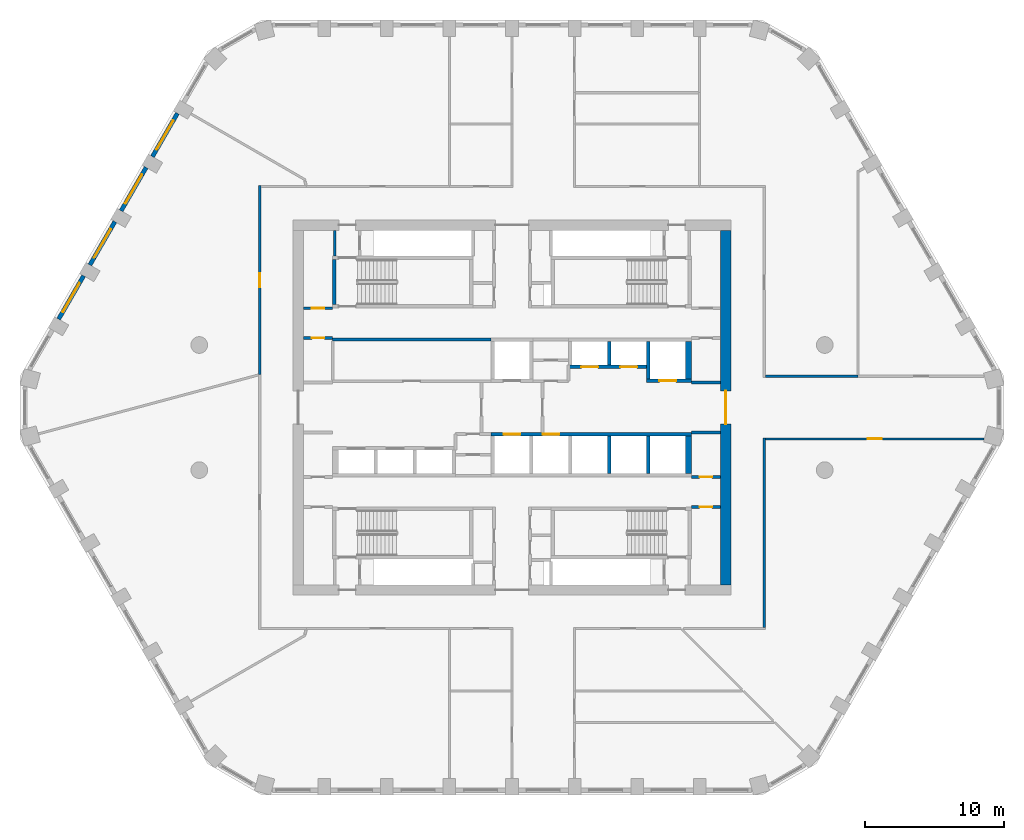
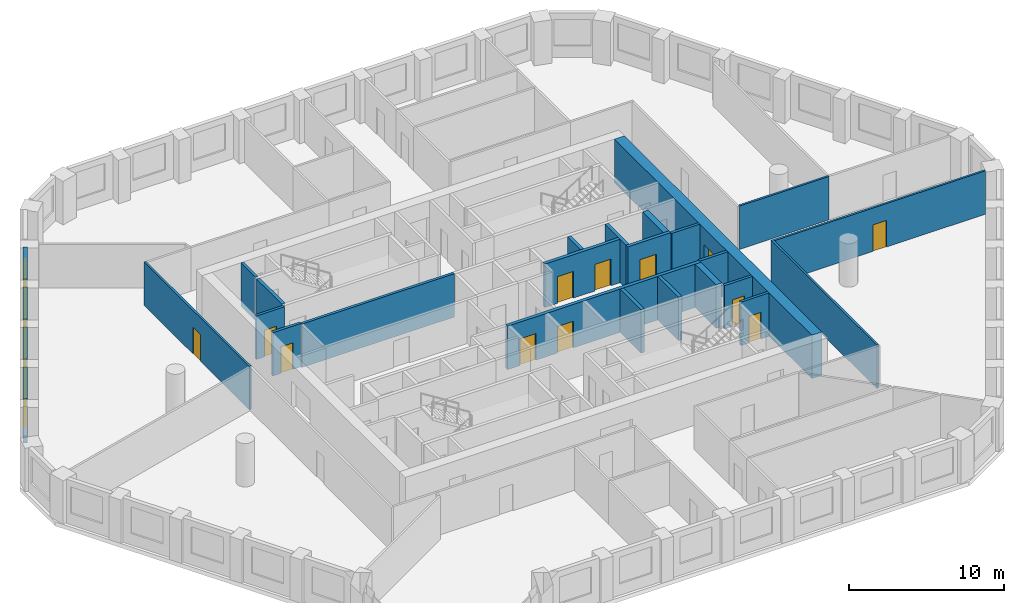
# One storey, part 5 of 9: 27 walls, 12 doors, 4 windows, 16 openings.
"""IFC4 building model written with IfcOpenShell, lengths in metres."""

from ifc_helpers import new_model, si_unit, direction, frame, frame_2d, origin, place, context, subcontext, project, spatial, polyline, rectangle, outline, extrude, material, layer, layer_set, type_object, element, fill, save


model = new_model("IFC4")

# Units and contexts
model_context = context("Model", 3, precision=1e-05, world=origin(), true_north=direction((0.0, 1.0)))
body_context = subcontext(model_context, "Body", "Model", "MODEL_VIEW")
ifc_project = project(units=[si_unit("LENGTHUNIT", "METRE"), si_unit("AREAUNIT", "SQUARE_METRE"), si_unit("VOLUMEUNIT", "CUBIC_METRE"), si_unit("PLANEANGLEUNIT", "RADIAN"), si_unit("MASSUNIT", "GRAM", prefix="KILO")], contexts=[model_context])

# Site, building, storey
site_placement = place(None, origin())
site = spatial("IfcSite", under=ifc_project, at=site_placement, CompositionType="ELEMENT")
building_placement = place(site_placement, origin())
building = spatial("IfcBuilding", under=site, at=building_placement, Name="Dhurran Vertical Campus", CompositionType="ELEMENT")
storey_placement = place(building_placement, frame((0.0, 0.0, 175.5)))
storey = spatial("IfcBuildingStorey", under=building, at=storey_placement, Name="L43", CompositionType="ELEMENT", Elevation=175.5)

# Wall, opening, window
ifc_material_1 = material(Name="Precast concrete C50/60", Category="concrete")
ifc_layer_1 = layer(ifc_material_1, 0.300048828125)
ifc_layer_set_1 = layer_set([ifc_layer_1], Name="Precast concrete C50/60")
wall_type_1 = type_object("IfcWallType", Name="Precast spandrel wall 300", PredefinedType="SOLIDWALL", material=ifc_layer_set_1)
wall_1_placement = place(storey_placement, frame((-24.0693359375, 21.17041015625, 0.0), z_axis=(0.0, 0.0, 1.0), x_axis=(-0.500027802648, -0.866009351323, 0.0)))
wall_1 = element("IfcWall", 1, at=wall_1_placement, inside=storey, type_object=wall_type_1, Name="EW1 L43.33", PredefinedType="SOLIDWALL", context=body_context, shape_type="SweptSolid", body=[
    extrude(rectangle(XDim=3.598876953125, YDim=0.300048828125, at=frame_2d((1.79931640625, 0.0))), origin(), (0.0, 0.0, 1.0), 3.5),
])
opening_1_placement = place(wall_1_placement, frame((0.599609375, 0.0, 0.89990234375)))
opening_1 = element("IfcOpeningElement", 2, at=opening_1_placement, cuts=wall_1, Name="Opening WT1", PredefinedType="OPENING", context=body_context, shape_type="SweptSolid", body=[
    extrude(rectangle(XDim=2.39990234375, YDim=2.10009765625, at=frame_2d((1.199951171875, 1.050048828125))), frame((0.0, 0.159912109375, 0.0), z_axis=(0.0, -1.0, 0.0), x_axis=(1.0, 0.0, 0.0)), (0.0, 0.0, 1.0), 0.320068359375),
])
ifc_material_2 = material(Name="Aluminium frame with solar-control glass", Category="aluminium")
window_type = type_object("IfcWindowType", Name="Punched window 2400 x 2100", PartitioningType="SINGLE_PANEL", PredefinedType="WINDOW", material=ifc_material_2)
window_1_placement = place(opening_1_placement, origin())
window_1 = element("IfcWindow", 3, at=window_1_placement, inside=storey, type_object=window_type, Name="WT1 L43.33", OverallHeight=2.10009765625, OverallWidth=2.39990234375, PartitioningType="SINGLE_PANEL", PredefinedType="WINDOW", context=body_context, shape_type="SweptSolid", body=[
    extrude(rectangle(XDim=2.39990234375, YDim=2.10009765625, at=frame_2d((1.199951171875, 1.050048828125))), frame((0.0, 0.030029296875, 0.0), z_axis=(0.0, -1.0, 0.0), x_axis=(1.0, 0.0, 0.0)), (0.0, 0.0, 1.0), 0.06005859375),
])
fill(opening_1, window_1)

wall_2_placement = place(storey_placement, frame((-26.3193359375, 17.273193359375, 0.0), z_axis=(0.0, 0.0, 1.0), x_axis=(-0.500027802648, -0.866009351323, 0.0)))
wall_2 = element("IfcWall", 4, at=wall_2_placement, inside=storey, type_object=wall_type_1, Name="EW1 L43.34", PredefinedType="SOLIDWALL", context=body_context, shape_type="SweptSolid", body=[
    extrude(rectangle(XDim=3.598876953125, YDim=0.300048828125, at=frame_2d((1.79931640625, 0.0))), origin(), (0.0, 0.0, 1.0), 3.5),
])
opening_2_placement = place(wall_2_placement, frame((0.599609375, 0.0, 0.89990234375)))
opening_2 = element("IfcOpeningElement", 5, at=opening_2_placement, cuts=wall_2, Name="Opening WT1", PredefinedType="OPENING", context=body_context, shape_type="SweptSolid", body=[
    extrude(rectangle(XDim=2.39990234375, YDim=2.10009765625, at=frame_2d((1.199951171875, 1.050048828125))), frame((0.0, 0.159912109375, 0.0), z_axis=(0.0, -1.0, 0.0), x_axis=(1.0, 0.0, 0.0)), (0.0, 0.0, 1.0), 0.320068359375),
])
window_2_placement = place(opening_2_placement, origin())
window_2 = element("IfcWindow", 6, at=window_2_placement, inside=storey, type_object=window_type, Name="WT1 L43.34", OverallHeight=2.10009765625, OverallWidth=2.39990234375, PartitioningType="SINGLE_PANEL", PredefinedType="WINDOW", context=body_context, shape_type="SweptSolid", body=[
    extrude(rectangle(XDim=2.39990234375, YDim=2.10009765625, at=frame_2d((1.199951171875, 1.050048828125))), frame((0.0, 0.030029296875, 0.0), z_axis=(0.0, -1.0, 0.0), x_axis=(1.0, 0.0, 0.0)), (0.0, 0.0, 1.0), 0.06005859375),
])
fill(opening_2, window_2)

wall_3_placement = place(storey_placement, frame((-28.5693359375, 13.376220703125, 0.0), z_axis=(0.0, 0.0, 1.0), x_axis=(-0.500027802648, -0.866009351323, 0.0)))
wall_3 = element("IfcWall", 7, at=wall_3_placement, inside=storey, type_object=wall_type_1, Name="EW1 L43.35", PredefinedType="SOLIDWALL", context=body_context, shape_type="SweptSolid", body=[
    extrude(rectangle(XDim=3.598876953125, YDim=0.300048828125, at=frame_2d((1.79931640625, 0.0))), origin(), (0.0, 0.0, 1.0), 3.5),
])
opening_3_placement = place(wall_3_placement, frame((0.599609375, 0.0, 0.89990234375)))
opening_3 = element("IfcOpeningElement", 8, at=opening_3_placement, cuts=wall_3, Name="Opening WT1", PredefinedType="OPENING", context=body_context, shape_type="SweptSolid", body=[
    extrude(rectangle(XDim=2.39990234375, YDim=2.10009765625, at=frame_2d((1.199951171875, 1.050048828125))), frame((0.0, 0.159912109375, 0.0), z_axis=(0.0, -1.0, 0.0), x_axis=(1.0, 0.0, 0.0)), (0.0, 0.0, 1.0), 0.320068359375),
])
window_3_placement = place(opening_3_placement, origin())
window_3 = element("IfcWindow", 9, at=window_3_placement, inside=storey, type_object=window_type, Name="WT1 L43.35", OverallHeight=2.10009765625, OverallWidth=2.39990234375, PartitioningType="SINGLE_PANEL", PredefinedType="WINDOW", context=body_context, shape_type="SweptSolid", body=[
    extrude(rectangle(XDim=2.39990234375, YDim=2.10009765625, at=frame_2d((1.199951171875, 1.050048828125))), frame((0.0, 0.030029296875, 0.0), z_axis=(0.0, -1.0, 0.0), x_axis=(1.0, 0.0, 0.0)), (0.0, 0.0, 1.0), 0.06005859375),
])
fill(opening_3, window_3)

wall_4_placement = place(storey_placement, frame((-30.8193359375, 9.47900390625, 0.0), z_axis=(0.0, 0.0, 1.0), x_axis=(-0.500027802648, -0.866009351323, 0.0)))
wall_4 = element("IfcWall", 10, at=wall_4_placement, inside=storey, type_object=wall_type_1, Name="EW1 L43.36", PredefinedType="SOLIDWALL", context=body_context, shape_type="SweptSolid", body=[
    extrude(rectangle(XDim=3.598876953125, YDim=0.300048828125, at=frame_2d((1.79931640625, 0.0))), origin(), (0.0, 0.0, 1.0), 3.5),
])
opening_4_placement = place(wall_4_placement, frame((0.599609375, 0.0, 0.89990234375)))
opening_4 = element("IfcOpeningElement", 11, at=opening_4_placement, cuts=wall_4, Name="Opening WT1", PredefinedType="OPENING", context=body_context, shape_type="SweptSolid", body=[
    extrude(rectangle(XDim=2.39990234375, YDim=2.10009765625, at=frame_2d((1.199951171875, 1.050048828125))), frame((0.0, 0.159912109375, 0.0), z_axis=(0.0, -1.0, 0.0), x_axis=(1.0, 0.0, 0.0)), (0.0, 0.0, 1.0), 0.320068359375),
])
window_4_placement = place(opening_4_placement, origin())
window_4 = element("IfcWindow", 12, at=window_4_placement, inside=storey, type_object=window_type, Name="WT1 L43.36", OverallHeight=2.10009765625, OverallWidth=2.39990234375, PartitioningType="SINGLE_PANEL", PredefinedType="WINDOW", context=body_context, shape_type="SweptSolid", body=[
    extrude(rectangle(XDim=2.39990234375, YDim=2.10009765625, at=frame_2d((1.199951171875, 1.050048828125))), frame((0.0, 0.030029296875, 0.0), z_axis=(0.0, -1.0, 0.0), x_axis=(1.0, 0.0, 0.0)), (0.0, 0.0, 1.0), 0.06005859375),
])
fill(opening_4, window_4)

# Wall, opening, door
ifc_material_3 = material(Name="Concrete C60/75", Category="concrete")
ifc_layer_2 = layer(ifc_material_3, 0.75)
ifc_layer_set_2 = layer_set([ifc_layer_2], Name="Concrete C60/75")
wall_type_2 = type_object("IfcWallType", Name="co-CORE-WALL-C1-750", PredefinedType="SHEAR", material=ifc_layer_set_2)
wall_5_placement = place(storey_placement, frame((15.375, -12.75, 0.0), z_axis=(0.0, 0.0, 1.0), x_axis=(0.0, 1.0, 0.0)))
wall_5 = element("IfcWall", 13, at=wall_5_placement, inside=storey, type_object=wall_type_2, Name="Core wall E L43", PredefinedType="SHEAR", context=body_context, shape_type="SweptSolid", body=[
    extrude(rectangle(XDim=25.5, YDim=0.75, at=frame_2d((12.75, 0.0))), origin(), (0.0, 0.0, 1.0), 3.425048828125),
])
opening_5_placement = place(wall_5_placement, frame((11.550048828125, 0.0, 0.0)))
opening_5 = element("IfcOpeningElement", 14, at=opening_5_placement, cuts=wall_5, Name="Opening CL2", PredefinedType="OPENING", context=body_context, shape_type="SweptSolid", body=[
    extrude(rectangle(XDim=2.39990234375, YDim=2.10009765625, at=frame_2d((1.199951171875, 1.050048828125))), frame((0.0, 0.385009765625, 0.0), z_axis=(0.0, -1.0, 0.0), x_axis=(1.0, 0.0, 0.0)), (0.0, 0.0, 1.0), 0.77001953125),
])
ifc_material_4 = material(Name="Fire-rated glazed door set")
door_type_1 = type_object("IfcDoorType", Name="co-D-LOBBY 2400x2100", OperationType="DOUBLE_DOOR_DOUBLE_SWING", PredefinedType="DOOR", material=ifc_material_4)
door_1_placement = place(opening_5_placement, origin())
door_1 = element("IfcDoor", 15, at=door_1_placement, inside=storey, type_object=door_type_1, Name="Lift lobby door E L43", OperationType="DOUBLE_DOOR_DOUBLE_SWING", OverallHeight=2.10009765625, OverallWidth=2.39990234375, PredefinedType="DOOR", context=body_context, shape_type="SweptSolid", body=[
    extrude(rectangle(XDim=2.39990234375, YDim=2.10009765625, at=frame_2d((1.199951171875, 1.050048828125))), frame((0.0, 0.02490234375, 0.0), z_axis=(0.0, -1.0, 0.0), x_axis=(1.0, 0.0, 0.0)), (0.0, 0.0, 1.0), 0.050048828125),
])
fill(opening_5, door_1)

# Wall
ifc_material_5 = material(Name="Fire-rated masonry blockwork", Category="masonry")
ifc_layer_3 = layer(ifc_material_5, 0.199951171875)
ifc_layer_set_3 = layer_set([ifc_layer_3], Name="Fire-rated masonry blockwork")
wall_type_3 = type_object("IfcWallType", Name="co-FIRE-PARTITION-200", PredefinedType="PARTITIONING", material=ifc_layer_set_3)
wall_6_placement = place(storey_placement, frame((-12.75, 10.89990234375, 0.0), z_axis=(0.0, 0.0, 1.0), x_axis=(0.0, 1.0, 0.0)))
element("IfcWall", 16, at=wall_6_placement, inside=storey, type_object=wall_type_3, Name="Core partition pass-ST1-o L43", PredefinedType="PARTITIONING", context=body_context, shape_type="SweptSolid", body=[
    extrude(rectangle(XDim=1.85009765625, YDim=0.199951171875, at=frame_2d((0.925048828125, 0.0))), origin(), (0.0, 0.0, 1.0), 3.425048828125),
])

# Wall, opening, door
wall_7_placement = place(storey_placement, frame((-15.0, 7.14990234375, 0.0), z_axis=(0.0, 0.0, 1.0), x_axis=(1.0, 0.0, 0.0)))
wall_7 = element("IfcWall", 17, at=wall_7_placement, inside=storey, type_object=wall_type_3, Name="Core partition en-NW-w L43", PredefinedType="PARTITIONING", context=body_context, shape_type="SweptSolid", body=[
    extrude(rectangle(XDim=2.10009765625, YDim=0.199951171875, at=frame_2d((1.050048828125, 0.0))), origin(), (0.0, 0.0, 1.0), 3.425048828125),
])
opening_6_placement = place(wall_7_placement, frame((0.60009765625, 0.0, 0.0)))
opening_6 = element("IfcOpeningElement", 18, at=opening_6_placement, cuts=wall_7, Name="Opening T12-C14", PredefinedType="OPENING", context=body_context, shape_type="SweptSolid", body=[
    extrude(rectangle(XDim=0.89990234375, YDim=2.10009765625, at=frame_2d((0.449951171875, 1.050048828125))), frame((0.0, 0.10986328125, 0.0), z_axis=(0.0, -1.0, 0.0), x_axis=(1.0, 0.0, 0.0)), (0.0, 0.0, 1.0), 0.219970703125),
])
ifc_material_6 = material(Name="Fire-rated timber door set", Category="wood")
door_type_2 = type_object("IfcDoorType", Name="co-D-ROOM 900x2100", OperationType="SINGLE_SWING_LEFT", PredefinedType="DOOR", material=ifc_material_6)
door_2_placement = place(opening_6_placement, origin())
door_2 = element("IfcDoor", 19, at=door_2_placement, inside=storey, type_object=door_type_2, Name="Plant room door L43", OperationType="SINGLE_SWING_LEFT", OverallHeight=2.10009765625, OverallWidth=0.89990234375, PredefinedType="DOOR", context=body_context, shape_type="SweptSolid", body=[
    extrude(rectangle(XDim=0.89990234375, YDim=2.10009765625, at=frame_2d((0.449951171875, 1.050048828125))), frame((0.0, 0.02490234375, 0.0), z_axis=(0.0, -1.0, 0.0), x_axis=(1.0, 0.0, 0.0)), (0.0, 0.0, 1.0), 0.050048828125),
])
fill(opening_6, door_2)

wall_8_placement = place(storey_placement, frame((-15.0, 5.0, 0.0), z_axis=(0.0, 0.0, 1.0), x_axis=(1.0, 0.0, 0.0)))
wall_8 = element("IfcWall", 20, at=wall_8_placement, inside=storey, type_object=wall_type_3, Name="Core partition es-NW-w L43", PredefinedType="PARTITIONING", context=body_context, shape_type="SweptSolid", body=[
    extrude(rectangle(XDim=2.10009765625, YDim=0.199951171875, at=frame_2d((1.050048828125, 0.0))), origin(), (0.0, 0.0, 1.0), 3.425048828125),
])
opening_7_placement = place(wall_8_placement, frame((0.60009765625, 0.0, 0.0)))
opening_7 = element("IfcOpeningElement", 21, at=opening_7_placement, cuts=wall_8, Name="Opening T12-C15", PredefinedType="OPENING", context=body_context, shape_type="SweptSolid", body=[
    extrude(rectangle(XDim=0.89990234375, YDim=2.10009765625, at=frame_2d((0.449951171875, 1.050048828125))), frame((0.0, 0.10986328125, 0.0), z_axis=(0.0, -1.0, 0.0), x_axis=(1.0, 0.0, 0.0)), (0.0, 0.0, 1.0), 0.219970703125),
])
door_3_placement = place(opening_7_placement, origin())
door_3 = element("IfcDoor", 22, at=door_3_placement, inside=storey, type_object=door_type_2, Name="Pantry door L43", OperationType="SINGLE_SWING_LEFT", OverallHeight=2.10009765625, OverallWidth=0.89990234375, PredefinedType="DOOR", context=body_context, shape_type="SweptSolid", body=[
    extrude(rectangle(XDim=0.89990234375, YDim=2.10009765625, at=frame_2d((0.449951171875, 1.050048828125))), frame((0.0, 0.02490234375, 0.0), z_axis=(0.0, -1.0, 0.0), x_axis=(1.0, 0.0, 0.0)), (0.0, 0.0, 1.0), 0.050048828125),
])
fill(opening_7, door_3)

# Wall
wall_9_placement = place(storey_placement, frame((12.89990234375, 1.800048828125, 0.0), z_axis=(0.0, 0.0, 1.0), x_axis=(1.0, 0.0, 0.0)))
element("IfcWall", 23, at=wall_9_placement, inside=storey, type_object=wall_type_3, Name="Core partition es-NE-l L43", PredefinedType="PARTITIONING", context=body_context, shape_type="SweptSolid", body=[
    extrude(rectangle(XDim=2.10009765625, YDim=0.199951171875, at=frame_2d((1.050048828125, 0.0))), origin(), (0.0, 0.0, 1.0), 3.425048828125),
])

# Wall, opening, door
wall_10_placement = place(storey_placement, frame((12.89990234375, -7.14990234375, 0.0), z_axis=(0.0, 0.0, 1.0), x_axis=(1.0, 0.0, 0.0)))
wall_10 = element("IfcWall", 24, at=wall_10_placement, inside=storey, type_object=wall_type_3, Name="Core partition en-SE-w L43", PredefinedType="PARTITIONING", context=body_context, shape_type="SweptSolid", body=[
    extrude(rectangle(XDim=2.10009765625, YDim=0.199951171875, at=frame_2d((1.050048828125, 0.0))), origin(), (0.0, 0.0, 1.0), 3.425048828125),
])
opening_8_placement = place(wall_10_placement, frame((0.60009765625, 0.0, 0.0)))
opening_8 = element("IfcOpeningElement", 25, at=opening_8_placement, cuts=wall_10, Name="Opening T12-C20", PredefinedType="OPENING", context=body_context, shape_type="SweptSolid", body=[
    extrude(rectangle(XDim=0.89990234375, YDim=2.10009765625, at=frame_2d((0.449951171875, 1.050048828125))), frame((0.0, 0.10986328125, 0.0), z_axis=(0.0, -1.0, 0.0), x_axis=(1.0, 0.0, 0.0)), (0.0, 0.0, 1.0), 0.219970703125),
])
door_4_placement = place(opening_8_placement, origin())
door_4 = element("IfcDoor", 26, at=door_4_placement, inside=storey, type_object=door_type_2, Name="Communications room door L43", OperationType="SINGLE_SWING_LEFT", OverallHeight=2.10009765625, OverallWidth=0.89990234375, PredefinedType="DOOR", context=body_context, shape_type="SweptSolid", body=[
    extrude(rectangle(XDim=0.89990234375, YDim=2.10009765625, at=frame_2d((0.449951171875, 1.050048828125))), frame((0.0, 0.02490234375, 0.0), z_axis=(0.0, -1.0, 0.0), x_axis=(1.0, 0.0, 0.0)), (0.0, 0.0, 1.0), 0.050048828125),
])
fill(opening_8, door_4)

wall_11_placement = place(storey_placement, frame((12.89990234375, -5.0, 0.0), z_axis=(0.0, 0.0, 1.0), x_axis=(1.0, 0.0, 0.0)))
wall_11 = element("IfcWall", 27, at=wall_11_placement, inside=storey, type_object=wall_type_3, Name="Core partition es-SE-w L43", PredefinedType="PARTITIONING", context=body_context, shape_type="SweptSolid", body=[
    extrude(rectangle(XDim=2.10009765625, YDim=0.199951171875, at=frame_2d((1.050048828125, 0.0))), origin(), (0.0, 0.0, 1.0), 3.425048828125),
])
opening_9_placement = place(wall_11_placement, frame((0.60009765625, 0.0, 0.0)))
opening_9 = element("IfcOpeningElement", 28, at=opening_9_placement, cuts=wall_11, Name="Opening T12-C21", PredefinedType="OPENING", context=body_context, shape_type="SweptSolid", body=[
    extrude(rectangle(XDim=0.89990234375, YDim=2.10009765625, at=frame_2d((0.449951171875, 1.050048828125))), frame((0.0, 0.10986328125, 0.0), z_axis=(0.0, -1.0, 0.0), x_axis=(1.0, 0.0, 0.0)), (0.0, 0.0, 1.0), 0.219970703125),
])
door_5_placement = place(opening_9_placement, origin())
door_5 = element("IfcDoor", 29, at=door_5_placement, inside=storey, type_object=door_type_2, Name="Cleaner's store door L43", OperationType="SINGLE_SWING_LEFT", OverallHeight=2.10009765625, OverallWidth=0.89990234375, PredefinedType="DOOR", context=body_context, shape_type="SweptSolid", body=[
    extrude(rectangle(XDim=0.89990234375, YDim=2.10009765625, at=frame_2d((0.449951171875, 1.050048828125))), frame((0.0, 0.02490234375, 0.0), z_axis=(0.0, -1.0, 0.0), x_axis=(1.0, 0.0, 0.0)), (0.0, 0.0, 1.0), 0.050048828125),
])
fill(opening_9, door_5)

# Walls
wall_12_placement = place(storey_placement, frame((12.89990234375, -1.800048828125, 0.0), z_axis=(0.0, 0.0, 1.0), x_axis=(1.0, 0.0, 0.0)))
element("IfcWall", 30, at=wall_12_placement, inside=storey, type_object=wall_type_3, Name="Core partition es-SE-l L43", PredefinedType="PARTITIONING", context=body_context, shape_type="SweptSolid", body=[
    extrude(rectangle(XDim=2.10009765625, YDim=0.199951171875, at=frame_2d((1.050048828125, 0.0))), origin(), (0.0, 0.0, 1.0), 3.425048828125),
])
wall_13_placement = place(storey_placement, frame((-12.89990234375, 4.89990234375, 0.0), z_axis=(0.0, 0.0, 1.0), x_axis=(1.0, 0.0, 0.0)))
element("IfcWall", 31, at=wall_13_placement, inside=storey, type_object=wall_type_3, Name="Core partition fr-N0-b L43", PredefinedType="PARTITIONING", context=body_context, shape_type="SweptSolid", body=[
    extrude(rectangle(XDim=11.375, YDim=0.199951171875, at=frame_2d((5.6875, 0.0))), origin(), (0.0, 0.0, 1.0), 3.425048828125),
])

# Wall, openings, doors
ifc_material_7 = material(Name="Concrete C50/60", Category="concrete")
ifc_layer_4 = layer(ifc_material_7, 0.25)
ifc_layer_set_4 = layer_set([ifc_layer_4], Name="Concrete C50/60")
wall_type_4 = type_object("IfcWallType", Name="co-SHAFT-FRONT-250", PredefinedType="SHEAR", material=ifc_layer_set_4)
wall_14_placement = place(storey_placement, frame((4.074951171875, 2.925048828125, 0.0), z_axis=(0.0, 0.0, 1.0), x_axis=(1.0, 0.0, 0.0)))
wall_14 = element("IfcWall", 32, at=wall_14_placement, inside=storey, type_object=wall_type_4, Name="Lift landing wall N L43", PredefinedType="SHEAR", context=body_context, shape_type="SweptSolid", body=[
    extrude(rectangle(XDim=5.85009765625, YDim=0.25, at=frame_2d((2.925048828125, 0.0))), origin(), (0.0, 0.0, 1.0), 3.425048828125),
])
opening_10_placement = place(wall_14_placement, frame((0.925048828125, 0.0, 0.0)))
opening_10 = element("IfcOpeningElement", 33, at=opening_10_placement, cuts=wall_14, Name="Opening LD", PredefinedType="OPENING", context=body_context, shape_type="SweptSolid", body=[
    extrude(rectangle(XDim=1.199951171875, YDim=2.10009765625, at=frame_2d((0.60009765625, 1.050048828125))), frame((0.0, 0.135009765625, 0.0), z_axis=(0.0, -1.0, 0.0), x_axis=(1.0, 0.0, 0.0)), (0.0, 0.0, 1.0), 0.27001953125),
])
opening_11_placement = place(wall_14_placement, frame((3.72509765625, 0.0, 0.0)))
opening_11 = element("IfcOpeningElement", 34, at=opening_11_placement, cuts=wall_14, Name="Opening LD", PredefinedType="OPENING", context=body_context, shape_type="SweptSolid", body=[
    extrude(rectangle(XDim=1.199951171875, YDim=2.10009765625, at=frame_2d((0.60009765625, 1.050048828125))), frame((0.0, 0.135009765625, 0.0), z_axis=(0.0, -1.0, 0.0), x_axis=(1.0, 0.0, 0.0)), (0.0, 0.0, 1.0), 0.27001953125),
])
ifc_material_8 = material(Name="Stainless steel landing door", Category="steel")
door_type_3 = type_object("IfcDoorType", Name="co-D-LANDING 1200x2100", OperationType="DOUBLE_DOOR_SLIDING", PredefinedType="DOOR", material=ifc_material_8)
door_6_placement = place(opening_10_placement, origin())
door_6 = element("IfcDoor", 35, at=door_6_placement, inside=storey, type_object=door_type_3, Name="Landing door MR1 L43", OperationType="DOUBLE_DOOR_SLIDING", OverallHeight=2.10009765625, OverallWidth=1.199951171875, PredefinedType="DOOR", context=body_context, shape_type="SweptSolid", body=[
    extrude(rectangle(XDim=1.199951171875, YDim=2.10009765625, at=frame_2d((0.60009765625, 1.050048828125))), frame((0.0, 0.02490234375, 0.0), z_axis=(0.0, -1.0, 0.0), x_axis=(1.0, 0.0, 0.0)), (0.0, 0.0, 1.0), 0.050048828125),
])
fill(opening_10, door_6)
door_7_placement = place(opening_11_placement, origin())
door_7 = element("IfcDoor", 36, at=door_7_placement, inside=storey, type_object=door_type_3, Name="Landing door MR2 L43", OperationType="DOUBLE_DOOR_SLIDING", OverallHeight=2.10009765625, OverallWidth=1.199951171875, PredefinedType="DOOR", context=body_context, shape_type="SweptSolid", body=[
    extrude(rectangle(XDim=1.199951171875, YDim=2.10009765625, at=frame_2d((0.60009765625, 1.050048828125))), frame((0.0, 0.02490234375, 0.0), z_axis=(0.0, -1.0, 0.0), x_axis=(1.0, 0.0, 0.0)), (0.0, 0.0, 1.0), 0.050048828125),
])
fill(opening_11, door_7)

# Wall, opening, door
wall_15_placement = place(storey_placement, frame((9.675048828125, 1.925048828125, 0.0), z_axis=(0.0, 0.0, 1.0), x_axis=(1.0, 0.0, 0.0)))
wall_15 = element("IfcWall", 37, at=wall_15_placement, inside=storey, type_object=wall_type_4, Name="Lift landing wall N L43", PredefinedType="SHEAR", context=body_context, shape_type="SweptSolid", body=[
    extrude(rectangle(XDim=3.224853515625, YDim=0.25, at=frame_2d((1.6123046875, 0.0))), origin(), (0.0, 0.0, 1.0), 3.425048828125),
])
opening_12_placement = place(wall_15_placement, frame((0.925048828125, 0.0, 0.0)))
opening_12 = element("IfcOpeningElement", 38, at=opening_12_placement, cuts=wall_15, Name="Opening LD", PredefinedType="OPENING", context=body_context, shape_type="SweptSolid", body=[
    extrude(rectangle(XDim=1.199951171875, YDim=2.10009765625, at=frame_2d((0.60009765625, 1.050048828125))), frame((0.0, 0.135009765625, 0.0), z_axis=(0.0, -1.0, 0.0), x_axis=(1.0, 0.0, 0.0)), (0.0, 0.0, 1.0), 0.27001953125),
])
door_8_placement = place(opening_12_placement, origin())
door_8 = element("IfcDoor", 39, at=door_8_placement, inside=storey, type_object=door_type_3, Name="Landing door SV2 L43", OperationType="DOUBLE_DOOR_SLIDING", OverallHeight=2.10009765625, OverallWidth=1.199951171875, PredefinedType="DOOR", context=body_context, shape_type="SweptSolid", body=[
    extrude(rectangle(XDim=1.199951171875, YDim=2.10009765625, at=frame_2d((0.60009765625, 1.050048828125))), frame((0.0, 0.02490234375, 0.0), z_axis=(0.0, -1.0, 0.0), x_axis=(1.0, 0.0, 0.0)), (0.0, 0.0, 1.0), 0.050048828125),
])
fill(opening_12, door_8)

# Wall, openings, doors
wall_16_placement = place(storey_placement, frame((-1.52490234375, -1.925048828125, 0.0), z_axis=(0.0, 0.0, 1.0), x_axis=(1.0, 0.0, 0.0)))
wall_16 = element("IfcWall", 40, at=wall_16_placement, inside=storey, type_object=wall_type_4, Name="Lift landing wall S L43", PredefinedType="SHEAR", context=body_context, shape_type="SweptSolid", body=[
    extrude(rectangle(XDim=14.4248046875, YDim=0.25, at=frame_2d((7.21240234375, 0.0))), origin(), (0.0, 0.0, 1.0), 3.425048828125),
])
opening_13_placement = place(wall_16_placement, frame((0.925048828125, 0.0, 0.0)))
opening_13 = element("IfcOpeningElement", 41, at=opening_13_placement, cuts=wall_16, Name="Opening LD", PredefinedType="OPENING", context=body_context, shape_type="SweptSolid", body=[
    extrude(rectangle(XDim=1.199951171875, YDim=2.10009765625, at=frame_2d((0.60009765625, 1.050048828125))), frame((0.0, 0.135009765625, 0.0), z_axis=(0.0, -1.0, 0.0), x_axis=(1.0, 0.0, 0.0)), (0.0, 0.0, 1.0), 0.27001953125),
])
opening_14_placement = place(wall_16_placement, frame((3.72509765625, 0.0, 0.0)))
opening_14 = element("IfcOpeningElement", 42, at=opening_14_placement, cuts=wall_16, Name="Opening LD", PredefinedType="OPENING", context=body_context, shape_type="SweptSolid", body=[
    extrude(rectangle(XDim=1.199951171875, YDim=2.10009765625, at=frame_2d((0.60009765625, 1.050048828125))), frame((0.0, 0.135009765625, 0.0), z_axis=(0.0, -1.0, 0.0), x_axis=(1.0, 0.0, 0.0)), (0.0, 0.0, 1.0), 0.27001953125),
])
door_9_placement = place(opening_13_placement, origin())
door_9 = element("IfcDoor", 43, at=door_9_placement, inside=storey, type_object=door_type_3, Name="Landing door FF2 L43", OperationType="DOUBLE_DOOR_SLIDING", OverallHeight=2.10009765625, OverallWidth=1.199951171875, PredefinedType="DOOR", context=body_context, shape_type="SweptSolid", body=[
    extrude(rectangle(XDim=1.199951171875, YDim=2.10009765625, at=frame_2d((0.60009765625, 1.050048828125))), frame((0.0, 0.02490234375, 0.0), z_axis=(0.0, -1.0, 0.0), x_axis=(1.0, 0.0, 0.0)), (0.0, 0.0, 1.0), 0.050048828125),
])
fill(opening_13, door_9)
door_10_placement = place(opening_14_placement, origin())
door_10 = element("IfcDoor", 44, at=door_10_placement, inside=storey, type_object=door_type_3, Name="Landing door SV1 L43", OperationType="DOUBLE_DOOR_SLIDING", OverallHeight=2.10009765625, OverallWidth=1.199951171875, PredefinedType="DOOR", context=body_context, shape_type="SweptSolid", body=[
    extrude(rectangle(XDim=1.199951171875, YDim=2.10009765625, at=frame_2d((0.60009765625, 1.050048828125))), frame((0.0, 0.02490234375, 0.0), z_axis=(0.0, -1.0, 0.0), x_axis=(1.0, 0.0, 0.0)), (0.0, 0.0, 1.0), 0.050048828125),
])
fill(opening_14, door_10)

# Walls
ifc_material_9 = material(Name="Concrete C50/60", Category="concrete")
ifc_layer_5 = layer(ifc_material_9, 0.25)
ifc_layer_set_5 = layer_set([ifc_layer_5], Name="Concrete C50/60")
wall_type_5 = type_object("IfcWallType", Name="co-SHAFT-MASS-250", PredefinedType="SHEAR", material=ifc_layer_set_5)
wall_17_placement = place(storey_placement, origin())
element("IfcWall", 45, at=wall_17_placement, inside=storey, type_object=wall_type_5, Name="Lift shaft wall N L43 5", PredefinedType="SHEAR", context=body_context, shape_type="SweptSolid", body=[
    extrude(outline(polyline([(9.675048828125, 2.050048828125), (9.925048828125, 2.050048828125), (9.925048828125, 4.75), (9.675048828125, 4.75), (9.675048828125, 2.050048828125)])), origin(), (0.0, 0.0, 1.0), 3.425048828125),
])
wall_18_placement = place(storey_placement, origin())
element("IfcWall", 46, at=wall_18_placement, inside=storey, type_object=wall_type_5, Name="Lift shaft wall N L43 6", PredefinedType="SHEAR", context=body_context, shape_type="SweptSolid", body=[
    extrude(outline(polyline([(12.47509765625, 2.050048828125), (12.89990234375, 2.050048828125), (12.89990234375, 4.75), (12.47509765625, 4.75), (12.47509765625, 2.050048828125)])), origin(), (0.0, 0.0, 1.0), 3.425048828125),
])
wall_19_placement = place(storey_placement, origin())
element("IfcWall", 47, at=wall_19_placement, inside=storey, type_object=wall_type_5, Name="Lift shaft wall N L43 8", PredefinedType="SHEAR", context=body_context, shape_type="SweptSolid", body=[
    extrude(outline(polyline([(6.875, 3.050048828125), (7.125, 3.050048828125), (7.125, 4.75), (6.875, 4.75), (6.875, 3.050048828125)])), origin(), (0.0, 0.0, 1.0), 3.425048828125),
])
wall_20_placement = place(storey_placement, origin())
element("IfcWall", 48, at=wall_20_placement, inside=storey, type_object=wall_type_5, Name="Lift shaft wall S L43 10", PredefinedType="SHEAR", context=body_context, shape_type="SweptSolid", body=[
    extrude(outline(polyline([(6.875, -4.75), (7.125, -4.75), (7.125, -2.050048828125), (6.875, -2.050048828125), (6.875, -4.75)])), origin(), (0.0, 0.0, 1.0), 3.425048828125),
])
wall_21_placement = place(storey_placement, origin())
element("IfcWall", 49, at=wall_21_placement, inside=storey, type_object=wall_type_5, Name="Lift shaft wall S L43 11", PredefinedType="SHEAR", context=body_context, shape_type="SweptSolid", body=[
    extrude(outline(polyline([(9.675048828125, -4.75), (9.925048828125, -4.75), (9.925048828125, -2.050048828125), (9.675048828125, -2.050048828125), (9.675048828125, -4.75)])), origin(), (0.0, 0.0, 1.0), 3.425048828125),
])
wall_22_placement = place(storey_placement, origin())
element("IfcWall", 50, at=wall_22_placement, inside=storey, type_object=wall_type_5, Name="Lift shaft wall S L43 12", PredefinedType="SHEAR", context=body_context, shape_type="SweptSolid", body=[
    extrude(outline(polyline([(12.47509765625, -4.75), (12.89990234375, -4.75), (12.89990234375, -2.050048828125), (12.47509765625, -2.050048828125), (12.47509765625, -4.75)])), origin(), (0.0, 0.0, 1.0), 3.425048828125),
])
ifc_material_10 = material(Name="Concrete C40/50", Category="concrete")
ifc_layer_6 = layer(ifc_material_10, 0.25)
ifc_layer_set_6 = layer_set([ifc_layer_6], Name="Concrete C40/50")
wall_type_6 = type_object("IfcWallType", Name="co-STAIR-WALL-250", PredefinedType="SHEAR", material=ifc_layer_set_6)
wall_23_placement = place(storey_placement, frame((-12.77490234375, 7.39990234375, 0.0), z_axis=(0.0, 0.0, 1.0), x_axis=(0.0, 1.0, 0.0)))
element("IfcWall", 51, at=wall_23_placement, inside=storey, type_object=wall_type_6, Name="Stair ST1 enclosure wall L43", PredefinedType="SHEAR", context=body_context, shape_type="SweptSolid", body=[
    extrude(rectangle(XDim=3.25, YDim=0.25, at=frame_2d((1.625, 0.0))), origin(), (0.0, 0.0, 1.0), 3.425048828125),
])

# Wall, opening, door
ifc_material_11 = material(Name="Gypsum board corridor wall on steel studs", Category="steel")
ifc_layer_7 = layer(ifc_material_11, 0.14990234375)
ifc_layer_set_7 = layer_set([ifc_layer_7], Name="Gypsum board corridor wall on steel studs")
wall_type_7 = type_object("IfcWallType", Name="fl-CW-150 corridor wall", PredefinedType="PARTITIONING", material=ifc_layer_set_7)
wall_24_placement = place(storey_placement, frame((-18.14990234375, 15.97509765625, 0.0), z_axis=(0.0, 0.0, 1.0), x_axis=(0.0, -1.0, 0.0)))
wall_24 = element("IfcWall", 52, at=wall_24_placement, inside=storey, type_object=wall_type_7, Name="Partition 43-06", PredefinedType="PARTITIONING", context=body_context, shape_type="SweptSolid", body=[
    extrude(rectangle(XDim=13.60400390625, YDim=0.14990234375, at=frame_2d((6.802001953125, 0.0))), origin(), (0.0, 0.0, 1.0), 3.425048828125),
])
opening_15_placement = place(wall_24_placement, frame((6.302001953125, 0.0, 0.0)))
opening_15 = element("IfcOpeningElement", 53, at=opening_15_placement, cuts=wall_24, Name="Opening T12.01", PredefinedType="OPENING", context=body_context, shape_type="SweptSolid", body=[
    extrude(rectangle(XDim=1.0, YDim=2.10009765625, at=frame_2d((0.5, 1.050048828125))), frame((0.0, 0.0849609375, 0.0), z_axis=(0.0, -1.0, 0.0), x_axis=(1.0, 0.0, 0.0)), (0.0, 0.0, 1.0), 0.169921875),
])
ifc_material_12 = material(Name="Solid-core timber door set, fire-rated", Category="wood")
door_type_4 = type_object("IfcDoorType", Name="fl-D-1000x2100", OperationType="SINGLE_SWING_LEFT", PredefinedType="DOOR", material=ifc_material_12)
door_11_placement = place(opening_15_placement, origin())
door_11 = element("IfcDoor", 54, at=door_11_placement, inside=storey, type_object=door_type_4, Name="Door 43.01", OperationType="SINGLE_SWING_LEFT", OverallHeight=2.10009765625, OverallWidth=1.0, PredefinedType="DOOR", context=body_context, shape_type="SweptSolid", body=[
    extrude(rectangle(XDim=1.0, YDim=2.10009765625, at=frame_2d((0.5, 1.050048828125))), frame((0.0, 0.02490234375, 0.0), z_axis=(0.0, -1.0, 0.0), x_axis=(1.0, 0.0, 0.0)), (0.0, 0.0, 1.0), 0.050048828125),
])
fill(opening_15, door_11)

# Wall
wall_25_placement = place(storey_placement, frame((18.14990234375, -15.824951171875, 0.0), z_axis=(0.0, 0.0, 1.0), x_axis=(0.0, 1.0, 0.0)))
element("IfcWall", 55, at=wall_25_placement, inside=storey, type_object=wall_type_7, Name="Partition 43-43", PredefinedType="PARTITIONING", context=body_context, shape_type="SweptSolid", body=[
    extrude(rectangle(XDim=13.64990234375, YDim=0.14990234375, at=frame_2d((6.824951171875, 0.0))), origin(), (0.0, 0.0, 1.0), 3.425048828125),
])

# Wall, opening, door
wall_26_placement = place(storey_placement, frame((33.9677734375, -2.25, 0.0), z_axis=(0.0, 0.0, 1.0), x_axis=(-1.0, 0.0, 0.0)))
wall_26 = element("IfcWall", 56, at=wall_26_placement, inside=storey, type_object=wall_type_7, Name="Partition 43-44", PredefinedType="PARTITIONING", context=body_context, shape_type="SweptSolid", body=[
    extrude(rectangle(XDim=15.74267578125, YDim=0.14990234375, at=frame_2d((7.871337890625, 0.0))), origin(), (0.0, 0.0, 1.0), 3.425048828125),
])
opening_16_placement = place(wall_26_placement, frame((7.371337890625, 0.0, 0.0)))
opening_16 = element("IfcOpeningElement", 57, at=opening_16_placement, cuts=wall_26, Name="Opening T12.16", PredefinedType="OPENING", context=body_context, shape_type="SweptSolid", body=[
    extrude(rectangle(XDim=1.0, YDim=2.10009765625, at=frame_2d((0.5, 1.050048828125))), frame((0.0, 0.0849609375, 0.0), z_axis=(0.0, -1.0, 0.0), x_axis=(1.0, 0.0, 0.0)), (0.0, 0.0, 1.0), 0.169921875),
])
door_12_placement = place(opening_16_placement, origin())
door_12 = element("IfcDoor", 58, at=door_12_placement, inside=storey, type_object=door_type_4, Name="Door 43.16", OperationType="SINGLE_SWING_LEFT", OverallHeight=2.10009765625, OverallWidth=1.0, PredefinedType="DOOR", context=body_context, shape_type="SweptSolid", body=[
    extrude(rectangle(XDim=1.0, YDim=2.10009765625, at=frame_2d((0.5, 1.050048828125))), frame((0.0, 0.02490234375, 0.0), z_axis=(0.0, -1.0, 0.0), x_axis=(1.0, 0.0, 0.0)), (0.0, 0.0, 1.0), 0.050048828125),
])
fill(opening_16, door_12)

# Wall
wall_27_placement = place(storey_placement, frame((18.22509765625, 2.25, 0.0), z_axis=(0.0, 0.0, 1.0), x_axis=(1.0, 0.0, 0.0)))
element("IfcWall", 59, at=wall_27_placement, inside=storey, type_object=wall_type_7, Name="Partition 43-46", PredefinedType="PARTITIONING", context=body_context, shape_type="SweptSolid", body=[
    extrude(rectangle(XDim=6.6748046875, YDim=0.14990234375, at=frame_2d((3.33740234375, 0.0))), origin(), (0.0, 0.0, 1.0), 3.425048828125),
])

save(model, "model.ifc")
